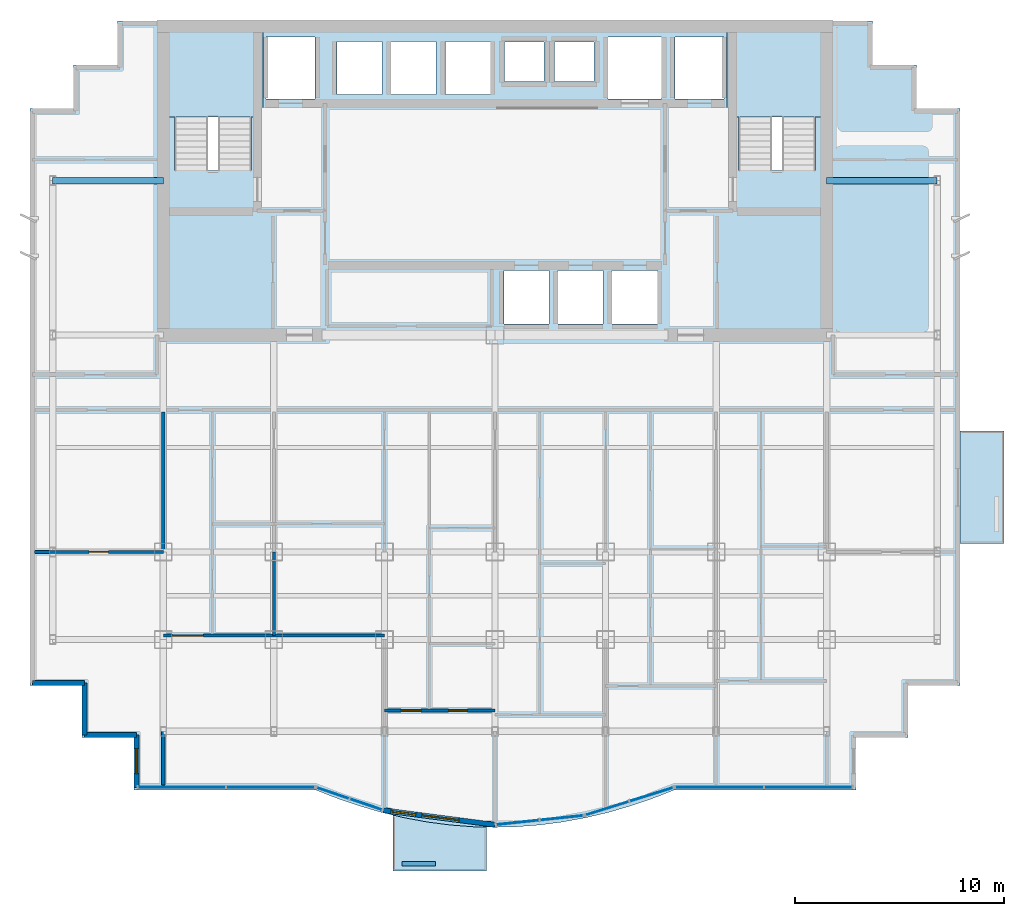
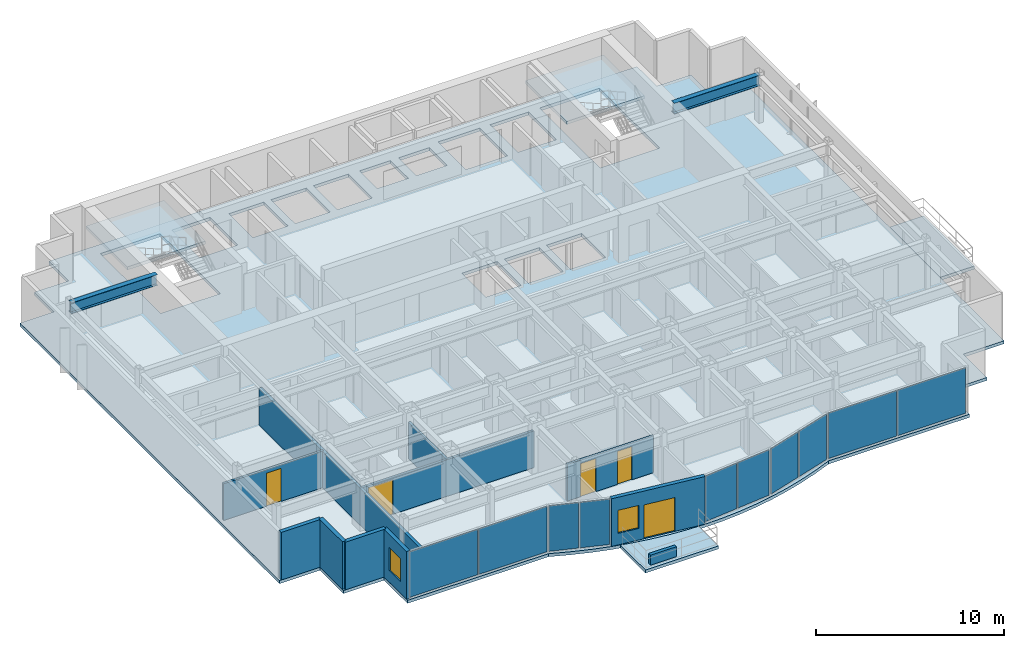
# One storey, part 5 of 11: 11 walls, 10 plates, 5 doors, 5 slabs, 2 beams, 2 windows, 7 openings, 7 elements without a shape of their own.
"""IFC4 building model written with IfcOpenShell, lengths in metres."""

from ifc_helpers import new_model, si_unit, direction, frame, frame_2d, origin, origin_2d, place, context, subcontext, project, spatial, polyline, rectangle, i_section, outline, extrude, source, transform, mapped, material, layer, layer_set, material_profile, profile_set, type_object, element, fill, aggregate, save


model = new_model("IFC4")

# Units and contexts
model_context = context("Model", 3, precision=1e-05, world=origin(), true_north=direction((0.0, 1.0)))
body_context = subcontext(model_context, "Body", "Model", "MODEL_VIEW")
ifc_project = project(units=[si_unit("LENGTHUNIT", "METRE"), si_unit("AREAUNIT", "SQUARE_METRE"), si_unit("VOLUMEUNIT", "CUBIC_METRE"), si_unit("PLANEANGLEUNIT", "RADIAN"), si_unit("MASSUNIT", "GRAM", prefix="KILO")], contexts=[model_context])

# Site, building, storey
site_placement = place(None, origin())
site = spatial("IfcSite", under=ifc_project, at=site_placement, CompositionType="ELEMENT")
building_placement = place(site_placement, origin())
building = spatial("IfcBuilding", under=site, at=building_placement, Name="Qianlan Lanfeng Residences", CompositionType="ELEMENT")
storey_placement = place(building_placement, frame((0.0, 0.0, 168.89990234375)))
storey = spatial("IfcBuildingStorey", under=building, at=storey_placement, Name="L46", CompositionType="ELEMENT", Elevation=168.89990234375)

# Beams
ifc_material_1 = material(Name="Steel SN490B", Category="steel")
ifc_material_profile = material_profile(ifc_material_1, i_section(OverallWidth=0.300048828125, OverallDepth=0.699951171875, WebThickness=0.012939453125, FlangeThickness=0.02392578125, at=origin_2d()), Name="H 700x300x13x24")
ifc_profile_set = profile_set([ifc_material_profile], Name="Steel SN490B")
beam_type = type_object("IfcBeamType", Name="G-750", PredefinedType="BEAM", material=ifc_profile_set)
for number, where, z_axis, x_axis, name in (
    (1, (5.300048828125, 32.60009765625, 2.75), (1.0, 0.0, 0.0), (0.0, 1.0, 0.0), "Structural beam G-750"),
    (2, (42.39990234375, 32.60009765625, 2.75), (1.0, 0.0, 0.0), (0.0, 1.0, 0.0), "Structural beam G-750"),
):
    element("IfcBeam", number, at=place(storey_placement, frame(where, z_axis=z_axis, x_axis=x_axis)), inside=storey, type_object=beam_type, Name=name, PredefinedType="BEAM", context=body_context, shape_type="SweptSolid", body=[
        extrude(i_section(OverallWidth=0.300048828125, OverallDepth=0.699951171875, WebThickness=0.012939453125, FlangeThickness=0.02392578125, at=origin_2d()), origin(), (0.0, 0.0, 1.0), 5.300048828125),
    ])

# Slabs
ifc_material_2 = material(Name="Concrete C42", Category="concrete")
ifc_layer_1 = layer(ifc_material_2, 0.199951171875)
ifc_layer_set_1 = layer_set([ifc_layer_1], Name="Concrete C42")
slab_type_1 = type_object("IfcSlabType", Name="S-BAL-200", PredefinedType="FLOOR", material=ifc_layer_set_1)
slab_1_placement = place(storey_placement, frame((0.0, 0.0, -0.199951171875)))
element("IfcSlab", 3, at=slab_1_placement, inside=storey, type_object=slab_type_1, Name="L46 Planted Tree Balcony Slab SB-C", PredefinedType="FLOOR", context=body_context, shape_type="SweptSolid", body=[
    extrude(outline(polyline([(26.10009765625, 1.610107421875), (25.422119140625, 1.6279296875), (24.344970703125, 1.712890625), (23.26708984375, 1.85302734375), (22.18994140625, 2.050048828125), (21.60009765625, 2.18798828125), (21.60009765625, -0.5), (26.10009765625, -0.5), (26.10009765625, 1.610107421875)])), origin(), (0.0, 0.0, 1.0), 0.199951171875),
])
slab_2_placement = place(storey_placement, frame((0.0, 0.0, -0.199951171875)))
element("IfcSlab", 4, at=slab_2_placement, inside=storey, type_object=slab_type_1, Name="L46 Planted Tree Balcony Slab EB-S", PredefinedType="FLOOR", context=body_context, shape_type="SweptSolid", body=[
    extrude(outline(polyline([(48.800048828125, 20.60009765625), (48.800048828125, 15.199951171875), (50.89990234375, 15.199951171875), (50.89990234375, 20.60009765625), (48.800048828125, 20.60009765625)])), origin(), (0.0, 0.0, 1.0), 0.199951171875),
])
ifc_layer_2 = layer(ifc_material_2, 0.199951171875)
ifc_layer_set_2 = layer_set([ifc_layer_2], Name="Concrete C42")
slab_type_2 = type_object("IfcSlabType", Name="S-FL-200", PredefinedType="FLOOR", material=ifc_layer_set_2)
slab_3_placement = place(storey_placement, frame((0.0, 0.0, -0.199951171875)))
element("IfcSlab", 5, at=slab_3_placement, inside=storey, type_object=slab_type_2, Name="L46 Structural Floor Slab", PredefinedType="FLOOR", context=body_context, shape_type="SweptSolid", body=[
    extrude(outline(polyline([(4.199951171875, 8.39990234375), (6.699951171875, 8.39990234375), (6.699951171875, 5.89990234375), (9.199951171875, 5.89990234375), (9.199951171875, 3.39990234375), (17.8798828125, 3.39990234375), (18.95703125, 2.97802734375), (20.034912109375, 2.612060546875), (21.112060546875, 2.302978515625), (22.18994140625, 2.050048828125), (23.26708984375, 1.85302734375), (24.344970703125, 1.712890625), (25.422119140625, 1.6279296875), (26.5, 1.60009765625), (27.577880859375, 1.6279296875), (28.655029296875, 1.7119140625), (29.73193359375, 1.85302734375), (30.81005859375, 2.050048828125), (31.886962890625, 2.302978515625), (32.965087890625, 2.612060546875), (34.0419921875, 2.97802734375), (35.1201171875, 3.39990234375), (43.800048828125, 3.39990234375), (43.800048828125, 5.89990234375), (46.300048828125, 5.89990234375), (46.300048828125, 8.39990234375), (48.800048828125, 8.39990234375), (48.800048828125, 36.050048828125), (46.699951171875, 36.050048828125), (46.699951171875, 38.14990234375), (44.60009765625, 38.14990234375), (44.60009765625, 40.25), (8.39990234375, 40.25), (8.39990234375, 38.14990234375), (6.300048828125, 38.14990234375), (6.300048828125, 36.050048828125), (4.199951171875, 36.050048828125), (4.199951171875, 8.39990234375)]), holes=[polyline([(11.139892578125, 33.080078125), (11.139892578125, 39.5), (14.820068359375, 39.5), (14.820068359375, 33.080078125), (11.139892578125, 33.080078125)]), polyline([(38.179931640625, 33.080078125), (38.179931640625, 39.5), (41.860107421875, 39.5), (41.860107421875, 33.080078125), (38.179931640625, 33.080078125)]), polyline([(15.52001953125, 36.52001953125), (15.52001953125, 39.47998046875), (17.8798828125, 39.47998046875), (17.8798828125, 36.52001953125), (15.52001953125, 36.52001953125)]), polyline([(35.1201171875, 36.52001953125), (35.1201171875, 39.47998046875), (37.47998046875, 39.47998046875), (37.47998046875, 36.52001953125), (35.1201171875, 36.52001953125)]), polyline([(31.919921875, 36.52001953125), (31.919921875, 39.47998046875), (34.47998046875, 39.47998046875), (34.47998046875, 36.52001953125), (31.919921875, 36.52001953125)]), polyline([(26.919921875, 25.719970703125), (26.919921875, 28.280029296875), (29.080078125, 28.280029296875), (29.080078125, 25.719970703125), (26.919921875, 25.719970703125)]), polyline([(29.52001953125, 25.719970703125), (29.52001953125, 28.280029296875), (31.679931640625, 28.280029296875), (31.679931640625, 25.719970703125), (29.52001953125, 25.719970703125)]), polyline([(32.1201171875, 25.719970703125), (32.1201171875, 28.280029296875), (34.280029296875, 28.280029296875), (34.280029296875, 25.719970703125), (32.1201171875, 25.719970703125)]), polyline([(18.919921875, 36.719970703125), (18.919921875, 39.280029296875), (21.080078125, 39.280029296875), (21.080078125, 36.719970703125), (18.919921875, 36.719970703125)]), polyline([(21.52001953125, 36.719970703125), (21.52001953125, 39.280029296875), (23.679931640625, 39.280029296875), (23.679931640625, 36.719970703125), (21.52001953125, 36.719970703125)]), polyline([(24.1201171875, 36.719970703125), (24.1201171875, 39.280029296875), (26.280029296875, 39.280029296875), (26.280029296875, 36.719970703125), (24.1201171875, 36.719970703125)]), polyline([(26.949951171875, 37.35009765625), (26.949951171875, 39.25), (28.85009765625, 39.25), (28.85009765625, 37.35009765625), (26.949951171875, 37.35009765625)]), polyline([(29.35009765625, 37.35009765625), (29.35009765625, 39.25), (31.25, 39.25), (31.25, 37.35009765625), (29.35009765625, 37.35009765625)])]), origin(), (0.0, 0.0, 1.0), 0.199951171875),
])

# Stair, slab
stair_type = type_object("IfcStairType", Name="STR-MAIN", PredefinedType="HALF_TURN_STAIR", material=ifc_material_2)
stair_1_placement = place(storey_placement, origin())
stair_1 = element("IfcStair", 6, at=stair_1_placement, inside=storey, type_object=stair_type, Name="L46 Exit Stair ST-1", PredefinedType="HALF_TURN_STAIR")
ifc_layer_3 = layer(ifc_material_2, 0.179931640625)
ifc_layer_set_3 = layer_set([ifc_layer_3], Name="Concrete C42")
slab_type_3 = type_object("IfcSlabType", Name="S-LND-180", PredefinedType="LANDING", material=ifc_layer_set_3)
slab_4_placement = place(storey_placement, frame((0.0, 0.0, 1.4501953125)))
slab_4 = element("IfcSlab", 7, at=slab_4_placement, type_object=slab_type_3, Name="ST-1 landing 1", PredefinedType="LANDING", context=body_context, shape_type="SweptSolid", body=[
    extrude(outline(polyline([(10.580078125, 35.659912109375), (15.3798828125, 35.659912109375), (15.3798828125, 40.050048828125), (10.580078125, 40.050048828125), (10.580078125, 35.659912109375)])), origin(), (0.0, 0.0, 1.0), 0.199951171875),
])
aggregate(stair_1, [slab_4])

stair_2_placement = place(storey_placement, origin())
stair_2 = element("IfcStair", 8, at=stair_2_placement, inside=storey, type_object=stair_type, Name="L46 Exit Stair ST-2", PredefinedType="HALF_TURN_STAIR")
slab_5_placement = place(storey_placement, frame((0.0, 0.0, 1.4501953125)))
slab_5 = element("IfcSlab", 9, at=slab_5_placement, type_object=slab_type_3, Name="ST-2 landing 1", PredefinedType="LANDING", context=body_context, shape_type="SweptSolid", body=[
    extrude(outline(polyline([(37.6201171875, 35.659912109375), (42.419921875, 35.659912109375), (42.419921875, 40.050048828125), (37.6201171875, 40.050048828125), (37.6201171875, 35.659912109375)])), origin(), (0.0, 0.0, 1.0), 0.199951171875),
])
aggregate(stair_2, [slab_5])

# Curtain wall, plates
ifc_material_3 = material(Name="Anodised Bronze Aluminium 6063-T6", Category="aluminium")
ifc_layer_4 = layer(ifc_material_3, 0.219970703125)
ifc_layer_set_4 = layer_set([ifc_layer_4], Name="Anodised Bronze Aluminium 6063-T6")
curtain_wall_type = type_object("IfcCurtainWallType", Name="CW-04", PredefinedType="NOTDEFINED", material=ifc_layer_set_4)
curtain_wall_1_placement = place(storey_placement, origin())
curtain_wall_1 = element("IfcCurtainWall", 10, at=curtain_wall_1_placement, inside=storey, type_object=curtain_wall_type, Name="L46 Unitised Curtain Wall CWR-L46-01 (CW-04)", PredefinedType="NOTDEFINED")
ifc_material_4 = material(Name="Dark Bronze Tinted Insulated Glass", Category="glass")
ifc_layer_5 = layer(ifc_material_4, 0.0380859375)
ifc_layer_set_5 = layer_set([ifc_layer_5], Name="Dark Bronze Tinted Insulated Glass")
plate_type_1 = type_object("IfcPlateType", Name="PNL-GLZ-BRZ", PredefinedType="CURTAIN_PANEL", material=ifc_layer_set_5)
shared_shape_1 = source(origin(), body_context, "Body", "SweptSolid", [
    extrude(rectangle(XDim=4.180908203125, YDim=0.0380859375, at=origin_2d()), origin(), (0.0, 0.0, 1.0), 2.951904296875),
])
plate_1_placement = place(storey_placement, frame((11.484619140625, 3.52001953125, 0.07421875), z_axis=(0.0, 0.0, 1.0), x_axis=(1.0, 0.0, 0.0)))
plate_1 = element("IfcPlate", 11, at=plate_1_placement, type_object=plate_type_1, Name="CWR-L46-01 Curtain Panel 1", PredefinedType="CURTAIN_PANEL", context=body_context, shape_type="MappedRepresentation", body=[
    mapped(shared_shape_1, transform((0.0, 0.0, 0.0), scale=1.0)),
])
plate_2_placement = place(storey_placement, frame((15.738525390625, 3.52001953125, 0.07421875), z_axis=(0.0, 0.0, 1.0), x_axis=(1.0, 0.0, 0.0)))
plate_2 = element("IfcPlate", 12, at=plate_2_placement, type_object=plate_type_1, Name="CWR-L46-01 Curtain Panel 2", PredefinedType="CURTAIN_PANEL", context=body_context, shape_type="MappedRepresentation", body=[
    mapped(shared_shape_1, transform((0.0, 0.0, 0.0), scale=1.0)),
])
aggregate(curtain_wall_1, [plate_1, plate_2])

curtain_wall_2_placement = place(storey_placement, origin())
curtain_wall_2 = element("IfcCurtainWall", 13, at=curtain_wall_2_placement, inside=storey, type_object=curtain_wall_type, Name="L46 Unitised Curtain Wall CWR-L46-05 (CW-04)", PredefinedType="NOTDEFINED")
plate_3_placement = place(storey_placement, frame((37.261474609375, 3.52001953125, 0.07421875), z_axis=(0.0, 0.0, 1.0), x_axis=(1.0, 0.0, 0.0)))
plate_3 = element("IfcPlate", 14, at=plate_3_placement, type_object=plate_type_1, Name="CWR-L46-05 Curtain Panel 1", PredefinedType="CURTAIN_PANEL", context=body_context, shape_type="MappedRepresentation", body=[
    mapped(shared_shape_1, transform((0.0, 0.0, 0.0), scale=1.0)),
])
plate_4_placement = place(storey_placement, frame((41.515380859375, 3.52001953125, 0.07421875), z_axis=(0.0, 0.0, 1.0), x_axis=(1.0, 0.0, 0.0)))
plate_4 = element("IfcPlate", 15, at=plate_4_placement, type_object=plate_type_1, Name="CWR-L46-05 Curtain Panel 2", PredefinedType="CURTAIN_PANEL", context=body_context, shape_type="MappedRepresentation", body=[
    mapped(shared_shape_1, transform((0.0, 0.0, 0.0), scale=1.0)),
])
aggregate(curtain_wall_2, [plate_3, plate_4])

curtain_wall_3_placement = place(storey_placement, origin())
curtain_wall_3 = element("IfcCurtainWall", 16, at=curtain_wall_3_placement, inside=storey, type_object=curtain_wall_type, Name="L46 Unitised Curtain Wall CWR-L46-02 (CW-04)", PredefinedType="NOTDEFINED")
shared_shape_2 = source(origin(), body_context, "Body", "SweptSolid", [
    extrude(rectangle(XDim=1.60009765625, YDim=0.0380859375, at=origin_2d()), origin(), (0.0, 0.0, 1.0), 2.951904296875),
])
plate_5_placement = place(storey_placement, frame((18.73046875, 3.23876953125, 0.07421875), z_axis=(0.0, 0.0, 1.0), x_axis=(0.946795963885, -0.321834433787, 0.0)))
plate_5 = element("IfcPlate", 17, at=plate_5_placement, type_object=plate_type_1, Name="CWR-L46-02 Curtain Panel 1", PredefinedType="CURTAIN_PANEL", context=body_context, shape_type="MappedRepresentation", body=[
    mapped(shared_shape_2, transform((0.0, 0.0, 0.0), scale=1.0)),
])
ifc_material_5 = material(Name="Perforated Champagne Gold Aluminium Panel", Category="aluminium")
ifc_layer_6 = layer(ifc_material_5, 0.0400390625)
ifc_layer_set_6 = layer_set([ifc_layer_6], Name="Perforated Champagne Gold Aluminium Panel")
plate_type_2 = type_object("IfcPlateType", Name="PNL-PRF-GLD", PredefinedType="CURTAIN_PANEL", material=ifc_layer_set_6)
shared_shape_3 = source(origin(), body_context, "Body", "SweptSolid", [
    extrude(rectangle(XDim=1.60009765625, YDim=0.0400390625, at=origin_2d()), origin(), (0.0, 0.0, 1.0), 2.951904296875),
])
plate_6_placement = place(storey_placement, frame((20.314453125, 2.7001953125, 0.07421875), z_axis=(0.0, 0.0, 1.0), x_axis=(0.946795963885, -0.321834433787, 0.0)))
plate_6 = element("IfcPlate", 18, at=plate_6_placement, type_object=plate_type_2, Name="CWR-L46-02 Curtain Panel 2", PredefinedType="CURTAIN_PANEL", context=body_context, shape_type="MappedRepresentation", body=[
    mapped(shared_shape_3, transform((0.0, 0.0, 0.0), scale=1.0)),
])
aggregate(curtain_wall_3, [plate_5, plate_6])

curtain_wall_4_placement = place(storey_placement, origin())
curtain_wall_4 = element("IfcCurtainWall", 19, at=curtain_wall_4_placement, inside=storey, type_object=curtain_wall_type, Name="L46 Unitised Curtain Wall CWR-L46-03 (CW-04)", PredefinedType="NOTDEFINED")
shared_shape_4 = source(origin(), body_context, "Body", "SweptSolid", [
    extrude(rectangle(XDim=2.043701171875, YDim=0.0380859375, at=origin_2d()), origin(), (0.0, 0.0, 1.0), 2.951904296875),
])
plate_7_placement = place(storey_placement, frame((27.58984375, 1.833984375, 0.07421875), z_axis=(0.0, 0.0, 1.0), x_axis=(0.994579031105, 0.103983416397, 0.0)))
plate_7 = element("IfcPlate", 20, at=plate_7_placement, type_object=plate_type_1, Name="CWR-L46-03 Curtain Panel 1", PredefinedType="CURTAIN_PANEL", context=body_context, shape_type="MappedRepresentation", body=[
    mapped(shared_shape_4, transform((0.0, 0.0, 0.0), scale=1.0)),
])
plate_8_placement = place(storey_placement, frame((29.695068359375, 2.05419921875, 0.07421875), z_axis=(0.0, 0.0, 1.0), x_axis=(0.994579031105, 0.103983416397, 0.0)))
plate_8 = element("IfcPlate", 21, at=plate_8_placement, type_object=plate_type_1, Name="CWR-L46-03 Curtain Panel 2", PredefinedType="CURTAIN_PANEL", context=body_context, shape_type="MappedRepresentation", body=[
    mapped(shared_shape_4, transform((0.0, 0.0, 0.0), scale=1.0)),
])
aggregate(curtain_wall_4, [plate_7, plate_8])

curtain_wall_5_placement = place(storey_placement, origin())
curtain_wall_5 = element("IfcCurtainWall", 22, at=curtain_wall_5_placement, inside=storey, type_object=curtain_wall_type, Name="L46 Unitised Curtain Wall CWR-L46-04 (CW-04)", PredefinedType="NOTDEFINED")
shared_shape_5 = source(origin(), body_context, "Body", "SweptSolid", [
    extrude(rectangle(XDim=2.14892578125, YDim=0.0380859375, at=origin_2d()), origin(), (0.0, 0.0, 1.0), 2.951904296875),
])
plate_9_placement = place(storey_placement, frame((31.880859375, 2.51171875, 0.07421875), z_axis=(0.0, 0.0, 1.0), x_axis=(0.954195954421, 0.299182353367, 0.0)))
plate_9 = element("IfcPlate", 23, at=plate_9_placement, type_object=plate_type_1, Name="CWR-L46-04 Curtain Panel 1", PredefinedType="CURTAIN_PANEL", context=body_context, shape_type="MappedRepresentation", body=[
    mapped(shared_shape_5, transform((0.0, 0.0, 0.0), scale=1.0)),
])
shared_shape_6 = source(origin(), body_context, "Body", "SweptSolid", [
    extrude(rectangle(XDim=2.14892578125, YDim=0.0400390625, at=origin_2d()), origin(), (0.0, 0.0, 1.0), 2.951904296875),
])
plate_10_placement = place(storey_placement, frame((34.001220703125, 3.176513671875, 0.07421875), z_axis=(0.0, 0.0, 1.0), x_axis=(0.954195954421, 0.299182353367, 0.0)))
plate_10 = element("IfcPlate", 24, at=plate_10_placement, type_object=plate_type_2, Name="CWR-L46-04 Curtain Panel 2", PredefinedType="CURTAIN_PANEL", context=body_context, shape_type="MappedRepresentation", body=[
    mapped(shared_shape_6, transform((0.0, 0.0, 0.0), scale=1.0)),
])
aggregate(curtain_wall_5, [plate_9, plate_10])

# Walls
ifc_layer_7 = layer(ifc_material_2, 0.239990234375)
ifc_layer_set_7 = layer_set([ifc_layer_7], Name="Concrete C42")
wall_type_1 = type_object("IfcWallType", Name="EW-240", PredefinedType="SOLIDWALL", material=ifc_layer_set_7)
for number, where, z_axis, x_axis, name in (
    (25, (4.320068359375, 8.52001953125, 0.0), (0.0, 0.0, 1.0), (1.0, 0.0, 0.0), "L46 Exterior Facade Spandrel Wall 1"),
    (26, (6.820068359375, 8.52001953125, 0.0), (0.0, 0.0, 1.0), (0.0, -1.0, 0.0), "L46 Exterior Facade Spandrel Wall 2"),
    (27, (6.820068359375, 6.02001953125, 0.0), (0.0, 0.0, 1.0), (1.0, 0.0, 0.0), "L46 Exterior Facade Spandrel Wall 3"),
):
    element("IfcWall", number, at=place(storey_placement, frame(where, z_axis=z_axis, x_axis=x_axis)), inside=storey, type_object=wall_type_1, Name=name, PredefinedType="SOLIDWALL", context=body_context, shape_type="SweptSolid", body=[
        extrude(rectangle(XDim=2.5, YDim=0.239990234375, at=frame_2d((1.25, 0.0))), origin(), (0.0, 0.0, 1.0), 3.10009765625),
    ])

# Wall, opening, window
wall_1_placement = place(storey_placement, frame((9.320068359375, 6.02001953125, 0.0), z_axis=(0.0, 0.0, 1.0), x_axis=(0.0, -1.0, 0.0)))
wall_1 = element("IfcWall", 28, at=wall_1_placement, inside=storey, type_object=wall_type_1, Name="L46 Exterior Facade Spandrel Wall 4", PredefinedType="SOLIDWALL", context=body_context, shape_type="SweptSolid", body=[
    extrude(rectangle(XDim=2.5, YDim=0.239990234375, at=frame_2d((1.25, 0.0))), origin(), (0.0, 0.0, 1.0), 3.10009765625),
])
opening_1_placement = place(wall_1_placement, frame((0.64990234375, 0.0, 0.75)))
opening_1 = element("IfcOpeningElement", 29, at=opening_1_placement, cuts=wall_1, Name="Opening W-03", PredefinedType="OPENING", context=body_context, shape_type="SweptSolid", body=[
    extrude(rectangle(XDim=1.199951171875, YDim=1.5, at=frame_2d((0.60009765625, 0.75))), frame((0.0, 0.1298828125, 0.0), z_axis=(0.0, -1.0, 0.0), x_axis=(1.0, 0.0, 0.0)), (0.0, 0.0, 1.0), 0.260009765625),
])
ifc_material_6 = material(Name="Anodised Bronze Aluminium Framed Double Glazing", Category="aluminium")
window_type = type_object("IfcWindowType", Name="W-03", PartitioningType="SINGLE_PANEL", PredefinedType="WINDOW", material=ifc_material_6)
window_1_placement = place(opening_1_placement, origin())
window_1 = element("IfcWindow", 30, at=window_1_placement, inside=storey, type_object=window_type, Name="L46 Facade Punched Window W-03", OverallHeight=1.5, OverallWidth=1.199951171875, PartitioningType="SINGLE_PANEL", PredefinedType="WINDOW", context=body_context, shape_type="SweptSolid", body=[
    extrude(rectangle(XDim=1.199951171875, YDim=1.5, at=frame_2d((0.60009765625, 0.75))), frame((0.0, 0.030029296875, 0.0), z_axis=(0.0, -1.0, 0.0), x_axis=(1.0, 0.0, 0.0)), (0.0, 0.0, 1.0), 0.06005859375),
])
fill(opening_1, window_1)

# Wall, openings, door, window
wall_2_placement = place(storey_placement, frame((21.14208984375, 2.4189453125, 0.0), z_axis=(0.0, 0.0, 1.0), x_axis=(0.991597639478, -0.129360432053, 0.0)))
wall_2 = element("IfcWall", 31, at=wall_2_placement, inside=storey, type_object=wall_type_1, Name="L46 Terrace/Balcony Access Exterior Wall 5", PredefinedType="SOLIDWALL", context=body_context, shape_type="SweptSolid", body=[
    extrude(rectangle(XDim=5.4033203125, YDim=0.239990234375, at=frame_2d((2.70166015625, 0.0))), origin(), (0.0, 0.0, 1.0), 3.10009765625),
])
opening_2_placement = place(wall_2_placement, frame((1.863037109375, 0.0, 0.0)))
opening_2 = element("IfcOpeningElement", 32, at=opening_2_placement, cuts=wall_2, Name="Opening L46-D-SB-C", PredefinedType="OPENING", context=body_context, shape_type="SweptSolid", body=[
    extrude(rectangle(XDim=1.800048828125, YDim=2.199951171875, at=frame_2d((0.89990234375, 1.10009765625))), frame((0.0, 0.1298828125, 0.0), z_axis=(0.0, -1.0, 0.0), x_axis=(1.0, 0.0, 0.0)), (0.0, 0.0, 1.0), 0.260009765625),
])
opening_3_placement = place(wall_2_placement, frame((0.3720703125, 0.0, 0.75)))
opening_3 = element("IfcOpeningElement", 33, at=opening_3_placement, cuts=wall_2, Name="Opening W-03", PredefinedType="OPENING", context=body_context, shape_type="SweptSolid", body=[
    extrude(rectangle(XDim=1.199951171875, YDim=1.5, at=frame_2d((0.60009765625, 0.75))), frame((0.0, 0.1298828125, 0.0), z_axis=(0.0, -1.0, 0.0), x_axis=(1.0, 0.0, 0.0)), (0.0, 0.0, 1.0), 0.260009765625),
])
ifc_material_7 = material(Name="Anodised Bronze Aluminium Framed Glass", Category="aluminium")
door_type_1 = type_object("IfcDoorType", Name="DT-BAL1", OperationType="NOTDEFINED", PredefinedType="DOOR", material=ifc_material_7)
door_1_placement = place(opening_2_placement, frame((1.800048828125, 0.0, 0.0), z_axis=(0.0, 0.0, 1.0), x_axis=(-1.0, 0.0, 0.0)))
door_1 = element("IfcDoor", 34, at=door_1_placement, inside=storey, type_object=door_type_1, Name="L46 Exterior Access Door SB-C", OperationType="DOUBLE_DOOR_SLIDING", OverallHeight=2.199951171875, OverallWidth=1.800048828125, PredefinedType="DOOR", context=body_context, shape_type="SweptSolid", body=[
    extrude(rectangle(XDim=1.800048828125, YDim=2.199951171875, at=frame_2d((0.89990234375, 1.10009765625))), frame((0.0, 0.02490234375, 0.0), z_axis=(0.0, -1.0, 0.0), x_axis=(1.0, 0.0, 0.0)), (0.0, 0.0, 1.0), 0.050048828125),
])
fill(opening_2, door_1)
window_2_placement = place(opening_3_placement, origin())
window_2 = element("IfcWindow", 35, at=window_2_placement, inside=storey, type_object=window_type, Name="L46 Exterior Window W-03", OverallHeight=1.5, OverallWidth=1.199951171875, PartitioningType="SINGLE_PANEL", PredefinedType="WINDOW", context=body_context, shape_type="SweptSolid", body=[
    extrude(rectangle(XDim=1.199951171875, YDim=1.5, at=frame_2d((0.60009765625, 0.75))), frame((0.0, 0.030029296875, 0.0), z_axis=(0.0, -1.0, 0.0), x_axis=(1.0, 0.0, 0.0)), (0.0, 0.0, 1.0), 0.06005859375),
])
fill(opening_3, window_2)

# Walls
ifc_layer_8 = layer(ifc_material_2, 0.199951171875)
ifc_layer_set_8 = layer_set([ifc_layer_8], Name="Concrete C42")
wall_type_2 = type_object("IfcWallType", Name="PL-TREE-200", PredefinedType="PARAPET", material=ifc_layer_set_8)
wall_3_placement = place(storey_placement, frame((22.050048828125, -0.14990234375, 0.0), z_axis=(0.0, 0.0, 1.0), x_axis=(1.0, 0.0, 0.0)))
element("IfcWall", 36, at=wall_3_placement, inside=storey, type_object=wall_type_2, Name="L46 Balcony Tree Planter Curb SB-C", PredefinedType="PARAPET", context=body_context, shape_type="SweptSolid", body=[
    extrude(rectangle(XDim=1.599853515625, YDim=0.199951171875, at=frame_2d((0.7998046875, 0.0))), origin(), (0.0, 0.0, 1.0), 0.650146484375),
])
ifc_material_8 = material(Name="Moisture-Resistant Gypsum Partition 135 mm")
ifc_layer_9 = layer(ifc_material_8, 0.135009765625)
ifc_layer_set_9 = layer_set([ifc_layer_9], Name="Moisture-Resistant Gypsum Partition 135 mm")
wall_type_3 = type_object("IfcWallType", Name="PW-135", PredefinedType="PARTITIONING", material=ifc_layer_set_9)
wall_4_placement = place(storey_placement, frame((15.89990234375, 10.7900390625, 0.0), z_axis=(0.0, 0.0, 1.0), x_axis=(0.0, 1.0, 0.0)))
element("IfcWall", 37, at=wall_4_placement, inside=storey, type_object=wall_type_3, Name="L46 U01 Mid Column Wall", PredefinedType="PARTITIONING", context=body_context, shape_type="SweptSolid", body=[
    extrude(rectangle(XDim=4.010009765625, YDim=0.135009765625, at=frame_2d((2.0048828125, 0.0))), origin(), (0.0, 0.0, 1.0), 2.380126953125),
])

# Wall, opening, door
wall_5_placement = place(storey_placement, frame((10.60009765625, 10.7900390625, 0.0), z_axis=(0.0, 0.0, 1.0), x_axis=(1.0, 0.0, 0.0)))
wall_5 = element("IfcWall", 38, at=wall_5_placement, inside=storey, type_object=wall_type_3, Name="L46 U01 Grand Living North Wall", PredefinedType="PARTITIONING", context=body_context, shape_type="SweptSolid", body=[
    extrude(rectangle(XDim=10.599853515625, YDim=0.135009765625, at=frame_2d((5.2998046875, 0.0))), origin(), (0.0, 0.0, 1.0), 2.380126953125),
])
opening_4_placement = place(wall_5_placement, frame((0.425048828125, 0.0, 0.0)))
opening_4 = element("IfcOpeningElement", 39, at=opening_4_placement, cuts=wall_5, Name="Opening L46-D20", PredefinedType="OPENING", context=body_context, shape_type="SweptSolid", body=[
    extrude(rectangle(XDim=1.5, YDim=2.25, at=frame_2d((0.75, 1.125))), frame((0.0, 0.07763671875, 0.0), z_axis=(0.0, -1.0, 0.0), x_axis=(1.0, 0.0, 0.0)), (0.0, 0.0, 1.0), 0.155029296875),
])
ifc_material_9 = material(Name="Timber Veneer Acoustic Fire Door", Category="wood")
door_type_2 = type_object("IfcDoorType", Name="DT-COR1", OperationType="NOTDEFINED", PredefinedType="DOOR", material=ifc_material_9)
door_2_placement = place(opening_4_placement, origin())
door_2 = element("IfcDoor", 40, at=door_2_placement, inside=storey, type_object=door_type_2, Name="L46 U01 Grand Living Door L46-D20 (DT-COR1)", OperationType="DOUBLE_DOOR_SINGLE_SWING", OverallHeight=2.25, OverallWidth=1.5, PredefinedType="DOOR", context=body_context, shape_type="SweptSolid", body=[
    extrude(rectangle(XDim=1.5, YDim=2.25, at=frame_2d((0.75, 1.125))), frame((0.0, 0.02490234375, 0.0), z_axis=(0.0, -1.0, 0.0), x_axis=(1.0, 0.0, 0.0)), (0.0, 0.0, 1.0), 0.050048828125),
])
fill(opening_4, door_2)

# Wall, openings, doors
wall_6_placement = place(storey_placement, frame((21.199951171875, 7.198974609375, 0.0), z_axis=(0.0, 0.0, 1.0), x_axis=(1.0, 0.0, 0.0)))
wall_6 = element("IfcWall", 41, at=wall_6_placement, inside=storey, type_object=wall_type_3, Name="L46 U01 Master Bedroom North Wall", PredefinedType="PARTITIONING", context=body_context, shape_type="SweptSolid", body=[
    extrude(rectangle(XDim=5.300048828125, YDim=0.135009765625, at=frame_2d((2.64990234375, 0.0))), origin(), (0.0, 0.0, 1.0), 2.380126953125),
])
opening_5_placement = place(wall_6_placement, frame((0.800048828125, 0.0, 0.0)))
opening_5 = element("IfcOpeningElement", 42, at=opening_5_placement, cuts=wall_6, Name="Opening L46-D24", PredefinedType="OPENING", context=body_context, shape_type="SweptSolid", body=[
    extrude(rectangle(XDim=0.949951171875, YDim=2.14990234375, at=frame_2d((0.47509765625, 1.074951171875))), frame((0.0, 0.07763671875, 0.0), z_axis=(0.0, -1.0, 0.0), x_axis=(1.0, 0.0, 0.0)), (0.0, 0.0, 1.0), 0.155029296875),
])
opening_6_placement = place(wall_6_placement, frame((3.074951171875, 0.0, 0.0)))
opening_6 = element("IfcOpeningElement", 43, at=opening_6_placement, cuts=wall_6, Name="Opening L46-D25", PredefinedType="OPENING", context=body_context, shape_type="SweptSolid", body=[
    extrude(rectangle(XDim=0.89990234375, YDim=2.14990234375, at=frame_2d((0.449951171875, 1.074951171875))), frame((0.0, 0.07763671875, 0.0), z_axis=(0.0, -1.0, 0.0), x_axis=(1.0, 0.0, 0.0)), (0.0, 0.0, 1.0), 0.155029296875),
])
ifc_material_10 = material(Name="Painted Solid-Core Timber Leaf", Category="wood")
door_type_3 = type_object("IfcDoorType", Name="DT-BED", OperationType="NOTDEFINED", PredefinedType="DOOR", material=ifc_material_10)
door_3_placement = place(opening_5_placement, origin())
door_3 = element("IfcDoor", 44, at=door_3_placement, inside=storey, type_object=door_type_3, Name="L46 U01 Master Bedroom Door L46-D24 (DT-BED)", OperationType="SINGLE_SWING_LEFT", OverallHeight=2.14990234375, OverallWidth=0.949951171875, PredefinedType="DOOR", context=body_context, shape_type="SweptSolid", body=[
    extrude(rectangle(XDim=0.949951171875, YDim=2.14990234375, at=frame_2d((0.47509765625, 1.074951171875))), frame((0.0, 0.02490234375, 0.0), z_axis=(0.0, -1.0, 0.0), x_axis=(1.0, 0.0, 0.0)), (0.0, 0.0, 1.0), 0.050048828125),
])
fill(opening_5, door_3)
ifc_material_11 = material(Name="Moisture-Resistant Timber Leaf", Category="wood")
door_type_4 = type_object("IfcDoorType", Name="DT-WC", OperationType="NOTDEFINED", PredefinedType="DOOR", material=ifc_material_11)
door_4_placement = place(opening_6_placement, origin())
door_4 = element("IfcDoor", 45, at=door_4_placement, inside=storey, type_object=door_type_4, Name="L46 U01 En-Suite Bathroom Door L46-D25 (DT-WC)", OperationType="SINGLE_SWING_LEFT", OverallHeight=2.14990234375, OverallWidth=0.89990234375, PredefinedType="DOOR", context=body_context, shape_type="SweptSolid", body=[
    extrude(rectangle(XDim=0.89990234375, YDim=2.14990234375, at=frame_2d((0.449951171875, 1.074951171875))), frame((0.0, 0.02490234375, 0.0), z_axis=(0.0, -1.0, 0.0), x_axis=(1.0, 0.0, 0.0)), (0.0, 0.0, 1.0), 0.050048828125),
])
fill(opening_6, door_4)

# Wall, opening, door
wall_7_placement = place(storey_placement, frame((4.419921875, 14.800048828125, 0.0), z_axis=(0.0, 0.0, 1.0), x_axis=(1.0, 0.0, 0.0)))
wall_7 = element("IfcWall", 46, at=wall_7_placement, inside=storey, type_object=wall_type_3, Name="L46 SWP Mid Partition", PredefinedType="PARTITIONING", context=body_context, shape_type="SweptSolid", body=[
    extrude(rectangle(XDim=6.18017578125, YDim=0.135009765625, at=frame_2d((3.090087890625, 0.0))), origin(), (0.0, 0.0, 1.0), 2.380126953125),
])
opening_7_placement = place(wall_7_placement, frame((2.6298828125, 0.0, 0.0)))
opening_7 = element("IfcOpeningElement", 47, at=opening_7_placement, cuts=wall_7, Name="Opening L46-D37", PredefinedType="OPENING", context=body_context, shape_type="SweptSolid", body=[
    extrude(rectangle(XDim=0.919921875, YDim=2.14990234375, at=frame_2d((0.4599609375, 1.074951171875))), frame((0.0, 0.07763671875, 0.0), z_axis=(0.0, -1.0, 0.0), x_axis=(1.0, 0.0, 0.0)), (0.0, 0.0, 1.0), 0.155029296875),
])
ifc_material_12 = material(Name="Glazed Timber Kitchen/Study Door", Category="wood")
door_type_5 = type_object("IfcDoorType", Name="DT-INT", OperationType="NOTDEFINED", PredefinedType="DOOR", material=ifc_material_12)
door_5_placement = place(opening_7_placement, origin())
door_5 = element("IfcDoor", 48, at=door_5_placement, inside=storey, type_object=door_type_5, Name="L46 SWP Inner Door L46-D37 (DT-INT)", OperationType="SINGLE_SWING_LEFT", OverallHeight=2.14990234375, OverallWidth=0.919921875, PredefinedType="DOOR", context=body_context, shape_type="SweptSolid", body=[
    extrude(rectangle(XDim=0.919921875, YDim=2.14990234375, at=frame_2d((0.4599609375, 1.074951171875))), frame((0.0, 0.02490234375, 0.0), z_axis=(0.0, -1.0, 0.0), x_axis=(1.0, 0.0, 0.0)), (0.0, 0.0, 1.0), 0.050048828125),
])
fill(opening_7, door_5)

# Wall
ifc_material_13 = material(Name="Double-Layer Acoustic Gypsum Stud Wall 180 mm")
ifc_layer_10 = layer(ifc_material_13, 0.179931640625)
ifc_layer_set_10 = layer_set([ifc_layer_10], Name="Double-Layer Acoustic Gypsum Stud Wall 180 mm")
wall_type_4 = type_object("IfcWallType", Name="PW-180", PredefinedType="PARTITIONING", material=ifc_layer_set_10)
wall_8_placement = place(storey_placement, frame((10.60009765625, 3.6201171875, 0.0), z_axis=(0.0, 0.0, 1.0), x_axis=(0.0, 1.0, 0.0)))
element("IfcWall", 49, at=wall_8_placement, inside=storey, type_object=wall_type_4, Name="L46 Wing Boundary Party Wall W0", PredefinedType="PARTITIONING", context=body_context, shape_type="SweptSolid", body=[
    extrude(rectangle(XDim=17.8798828125, YDim=0.179931640625, at=frame_2d((8.93994140625, 0.0))), origin(), (0.0, 0.0, 1.0), 2.380126953125),
])

save(model, "model.ifc")
